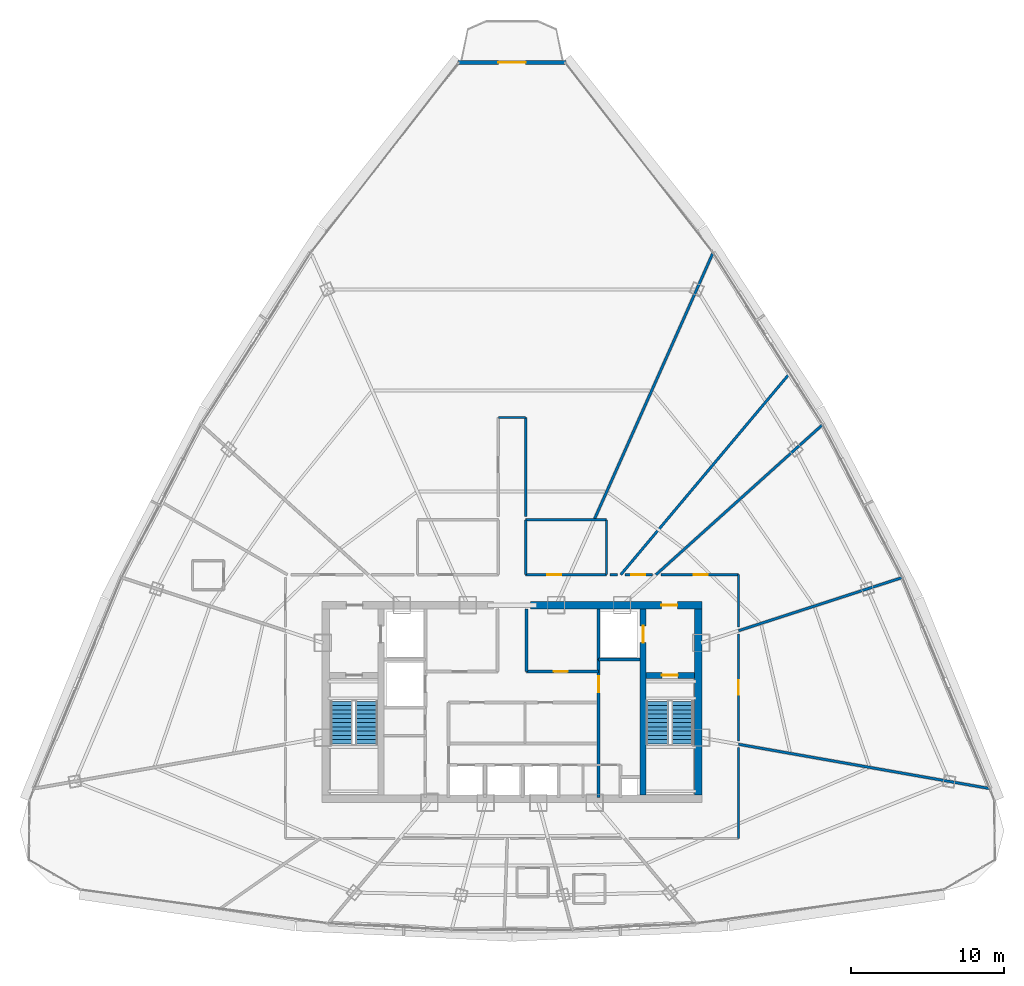
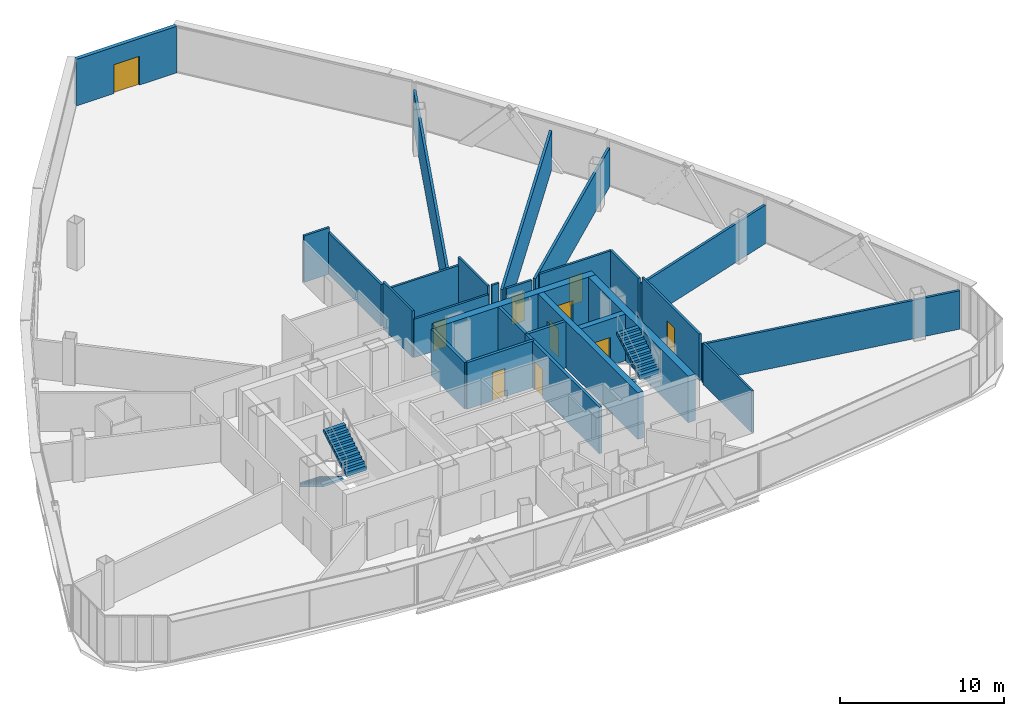
# One storey, part 36 of 40: 27 walls, 10 doors, 4 stair flights, 10 openings, 2 elements without a shape of their own.
"""IFC4 building model written with IfcOpenShell, lengths in metres."""

from ifc_helpers import new_model, si_unit, direction, frame, frame_2d, origin, origin_with_axes, place, context, subcontext, project, spatial, polyline, rectangle, outline, extrude, source, transform, mapped, material, layer, layer_set, type_object, element, fill, aggregate, save


model = new_model("IFC4")

# Units and contexts
model_context = context("Model", 3, precision=1e-05, world=origin(), true_north=direction((0.0, 1.0)))
body_context = subcontext(model_context, "Body", "Model", "MODEL_VIEW")
ifc_project = project(units=[si_unit("LENGTHUNIT", "METRE"), si_unit("AREAUNIT", "SQUARE_METRE"), si_unit("VOLUMEUNIT", "CUBIC_METRE"), si_unit("PLANEANGLEUNIT", "RADIAN"), si_unit("MASSUNIT", "GRAM", prefix="KILO"), si_unit("THERMODYNAMICTEMPERATUREUNIT", "KELVIN"), si_unit("POWERUNIT", "WATT")], contexts=[model_context])

# Site, building, storey
site_placement = place(None, origin())
site = spatial("IfcSite", under=ifc_project, at=site_placement, CompositionType="ELEMENT")
building_placement = place(site_placement, origin())
building = spatial("IfcBuilding", under=site, at=building_placement, Name="Yunzhuo Pagoda Commons", CompositionType="ELEMENT")
storey_placement = place(building_placement, frame((0.0, 0.0, 292.47998046875)))
storey = spatial("IfcBuildingStorey", under=building, at=storey_placement, Name="L73", CompositionType="ELEMENT", Elevation=292.47998046875)

# Wall, opening, door
ifc_material_1 = material(Name="Precast concrete C40", Category="concrete")
ifc_layer_1 = layer(ifc_material_1, 0.260009765625)
ifc_layer_set_1 = layer_set([ifc_layer_1], Name="Precast concrete C40")
wall_type_1 = type_object("IfcWallType", Name="W-BAL1 Corner Balcony Threshold Wall 260", PredefinedType="STANDARD", material=ifc_layer_set_1)
wall_1_placement = place(storey_placement, frame((51.534912109375, 75.790283203125, 0.0), z_axis=(0.0, 0.0, 1.0), x_axis=(-1.0, 0.0, 0.0)))
wall_1 = element("IfcWall", 1, at=wall_1_placement, inside=storey, type_object=wall_type_1, Name="L73 corner balcony wall V3", PredefinedType="STANDARD", context=body_context, shape_type="SweptSolid", body=[
    extrude(rectangle(XDim=7.06982421875, YDim=0.260009765625, at=frame_2d((3.534912109375, 0.0))), origin(), (0.0, 0.0, 1.0), 3.469970703125),
])
opening_1_placement = place(wall_1_placement, frame((2.635009765625, 0.0, 0.0)))
opening_1 = element("IfcOpeningElement", 2, at=opening_1_placement, cuts=wall_1, Name="Opening D-BAL1", PredefinedType="OPENING", context=body_context, shape_type="SweptSolid", body=[
    extrude(rectangle(XDim=1.800048828125, YDim=2.14990234375, at=frame_2d((0.89990234375, 1.074951171875))), frame((0.0, 0.14013671875, 0.0), z_axis=(0.0, -1.0, 0.0), x_axis=(1.0, 0.0, 0.0)), (0.0, 0.0, 1.0), 0.280029296875),
])
ifc_material_2 = material(Name="Anodized aluminium frame and tempered glazed leaf", Category="aluminium")
door_type_1 = type_object("IfcDoorType", Name="D-BAL1 Corner Balcony Sliding Glazed Door 1800x2150", OperationType="DOUBLE_DOOR_SLIDING", PredefinedType="DOOR", material=ifc_material_2)
shared_shape_1 = source(origin(), body_context, "Body", "SweptSolid", [
    extrude(rectangle(XDim=1.800048828125, YDim=2.14990234375, at=frame_2d((0.89990234375, 1.074951171875))), frame((0.0, 0.02490234375, 0.0), z_axis=(0.0, -1.0, 0.0), x_axis=(1.0, 0.0, 0.0)), (0.0, 0.0, 1.0), 0.050048828125),
])
door_1_placement = place(opening_1_placement, origin_with_axes())
door_1 = element("IfcDoor", 3, at=door_1_placement, inside=storey, type_object=door_type_1, Name="L73 corner balcony sliding door V3", OperationType="DOUBLE_DOOR_SLIDING", OverallHeight=2.14990234375, OverallWidth=1.800048828125, PredefinedType="DOOR", context=body_context, shape_type="MappedRepresentation", body=[
    mapped(shared_shape_1, transform((0.0, 0.0, 0.0), scale=1.0)),
])
fill(opening_1, door_1)

ifc_material_3 = material(Name="Concrete C50", Category="concrete")
ifc_layer_2 = layer(ifc_material_3, 0.5)
ifc_layer_set_2 = layer_set([ifc_layer_2], Name="Concrete C50")
wall_type_2 = type_object("IfcWallType", Name="W-C03 Upper Core Shear Wall 500", PredefinedType="SHEAR", material=ifc_layer_set_2)
wall_2_placement = place(storey_placement, frame((49.199951171875, 40.199951171875, 0.0), z_axis=(0.0, 0.0, 1.0), x_axis=(1.0, 0.0, 0.0)))
wall_2 = element("IfcWall", 4, at=wall_2_placement, inside=storey, type_object=wall_type_2, Name="L73 core shear wall NE", PredefinedType="SHEAR", context=body_context, shape_type="SweptSolid", body=[
    extrude(rectangle(XDim=11.25, YDim=0.5, at=frame_2d((5.625, 0.0))), origin(), (0.0, 0.0, 1.0), 3.469970703125),
])
opening_2_placement = place(wall_2_placement, frame((8.60009765625, 0.0, 0.0)))
opening_2 = element("IfcOpeningElement", 5, at=opening_2_placement, cuts=wall_2, Name="Opening D-02", PredefinedType="OPENING", context=body_context, shape_type="SweptSolid", body=[
    extrude(rectangle(XDim=1.050048828125, YDim=2.10009765625, at=frame_2d((0.52490234375, 1.050048828125))), frame((0.0, 0.260009765625, 0.0), z_axis=(0.0, -1.0, 0.0), x_axis=(1.0, 0.0, 0.0)), (0.0, 0.0, 1.0), 0.52001953125),
])
ifc_material_4 = material(Name="Galvanized fire-resisting metal leaf")
door_type_2 = type_object("IfcDoorType", Name="D-02 Firefighting Lobby & Refuge Fire Door 1050x2100", OperationType="NOTDEFINED", PredefinedType="DOOR", material=ifc_material_4)
shared_shape_2 = source(origin(), body_context, "Body", "SweptSolid", [
    extrude(rectangle(XDim=1.050048828125, YDim=2.10009765625, at=frame_2d((0.52490234375, 1.050048828125))), frame((0.0, 0.02490234375, 0.0), z_axis=(0.0, -1.0, 0.0), x_axis=(1.0, 0.0, 0.0)), (0.0, 0.0, 1.0), 0.050048828125),
])
door_2_placement = place(opening_2_placement, frame((1.050048828125, 0.0, 0.0), z_axis=(0.0, 0.0, 1.0), x_axis=(-1.0, 0.0, 0.0)))
door_2 = element("IfcDoor", 6, at=door_2_placement, inside=storey, type_object=door_type_2, Name="L73 Firefighting Lobby 2 fire door", OperationType="SINGLE_SWING_RIGHT", OverallHeight=2.10009765625, OverallWidth=1.050048828125, PredefinedType="DOOR", context=body_context, shape_type="MappedRepresentation", body=[
    mapped(shared_shape_2, transform((0.0, 0.0, 0.0), scale=1.0)),
])
fill(opening_2, door_2)

# Wall
wall_3_placement = place(storey_placement, frame((60.199951171875, 27.75, 0.0), z_axis=(0.0, 0.0, 1.0), x_axis=(0.0, 1.0, 0.0)))
element("IfcWall", 7, at=wall_3_placement, inside=storey, type_object=wall_type_2, Name="L73 core shear wall E", PredefinedType="SHEAR", context=body_context, shape_type="SweptSolid", body=[
    extrude(rectangle(XDim=12.199951171875, YDim=0.5, at=frame_2d((6.10009765625, 0.0))), origin(), (0.0, 0.0, 1.0), 3.469970703125),
])

# Wall, opening, door
ifc_material_5 = material(Name="Gypsum plasterboard on acoustic stud")
ifc_layer_3 = layer(ifc_material_5, 0.14990234375)
ifc_layer_set_3 = layer_set([ifc_layer_3], Name="Gypsum plasterboard on acoustic stud")
wall_type_3 = type_object("IfcWallType", Name="W-COR3 High-Zone Rated Corridor Wall 150", PredefinedType="PARTITIONING", material=ifc_layer_set_3)
wall_4_placement = place(storey_placement, frame((48.89990234375, 42.199951171875, 0.0), z_axis=(0.0, 0.0, 1.0), x_axis=(1.0, 0.0, 0.0)))
wall_4 = element("IfcWall", 8, at=wall_4_placement, inside=storey, type_object=wall_type_3, Name="L73 interior wall IW-L73-TFES", PredefinedType="PARTITIONING", context=body_context, shape_type="SweptSolid", body=[
    extrude(rectangle(XDim=5.300048828125, YDim=0.14990234375, at=frame_2d((2.64990234375, 0.0))), origin(), (0.0, 0.0, 1.0), 2.8701171875),
])
opening_3_placement = place(wall_4_placement, frame((1.39990234375, 0.0, 0.0)))
opening_3 = element("IfcOpeningElement", 9, at=opening_3_placement, cuts=wall_4, Name="Opening D-11", PredefinedType="OPENING", context=body_context, shape_type="SweptSolid", body=[
    extrude(rectangle(XDim=0.93994140625, YDim=2.10009765625, at=frame_2d((0.469970703125, 1.050048828125))), frame((0.0, 0.0849609375, 0.0), z_axis=(0.0, -1.0, 0.0), x_axis=(1.0, 0.0, 0.0)), (0.0, 0.0, 1.0), 0.169921875),
])
door_type_3 = type_object("IfcDoorType", Name="D-11 Accessible Washroom Fire Door 940x2100", OperationType="NOTDEFINED", PredefinedType="DOOR", material=ifc_material_4)
shared_shape_3 = source(origin(), body_context, "Body", "SweptSolid", [
    extrude(rectangle(XDim=0.93994140625, YDim=2.10009765625, at=frame_2d((0.469970703125, 1.050048828125))), frame((0.0, 0.02490234375, 0.0), z_axis=(0.0, -1.0, 0.0), x_axis=(1.0, 0.0, 0.0)), (0.0, 0.0, 1.0), 0.050048828125),
])
door_3_placement = place(opening_3_placement, frame((0.93994140625, 0.0, 0.0), z_axis=(0.0, 0.0, 1.0), x_axis=(-1.0, 0.0, 0.0)))
door_3 = element("IfcDoor", 10, at=door_3_placement, inside=storey, type_object=door_type_3, Name="L73 accessible WC door", OperationType="SINGLE_SWING_RIGHT", OverallHeight=2.10009765625, OverallWidth=0.93994140625, PredefinedType="DOOR", context=body_context, shape_type="MappedRepresentation", body=[
    mapped(shared_shape_3, transform((0.0, 0.0, 0.0), scale=1.0)),
])
fill(opening_3, door_3)

# Walls
wall_5_placement = place(storey_placement, frame((48.89990234375, 45.800048828125, 0.0), z_axis=(0.0, 0.0, 1.0), x_axis=(1.0, 0.0, 0.0)))
element("IfcWall", 11, at=wall_5_placement, inside=storey, type_object=wall_type_3, Name="L73 interior wall IW-L73-TFEN", PredefinedType="PARTITIONING", context=body_context, shape_type="SweptSolid", body=[
    extrude(rectangle(XDim=5.300048828125, YDim=0.14990234375, at=frame_2d((2.64990234375, 0.0))), origin(), (0.0, 0.0, 1.0), 2.8701171875),
])
for number, where, z_axis, x_axis, name in (
    (12, (48.89990234375, 42.199951171875, 0.0), (0.0, 0.0, 1.0), (0.0, 1.0, 0.0), "L73 interior wall IW-L73-TFEW"),
    (13, (54.199951171875, 42.199951171875, 0.0), (0.0, 0.0, 1.0), (0.0, 1.0, 0.0), "L73 interior wall IW-L73-TFEE"),
):
    element("IfcWall", number, at=place(storey_placement, frame(where, z_axis=z_axis, x_axis=x_axis)), inside=storey, type_object=wall_type_3, Name=name, PredefinedType="PARTITIONING", context=body_context, shape_type="SweptSolid", body=[
        extrude(rectangle(XDim=3.60009765625, YDim=0.14990234375, at=frame_2d((1.800048828125, 0.0))), origin(), (0.0, 0.0, 1.0), 3.469970703125),
    ])
wall_6_placement = place(storey_placement, frame((47.10009765625, 52.5, 0.0), z_axis=(0.0, 0.0, 1.0), x_axis=(1.0, 0.0, 0.0)))
element("IfcWall", 14, at=wall_6_placement, inside=storey, type_object=wall_type_3, Name="L73 interior wall IW-L73-CWL07", PredefinedType="PARTITIONING", context=body_context, shape_type="SweptSolid", body=[
    extrude(rectangle(XDim=1.7998046875, YDim=0.14990234375, at=frame_2d((0.89990234375, 0.0))), origin(), (0.0, 0.0, 1.0), 3.469970703125),
])
wall_7_placement = place(storey_placement, frame((48.89990234375, 52.5, 0.0), z_axis=(0.0, 0.0, 1.0), x_axis=(0.0, -1.0, 0.0)))
element("IfcWall", 15, at=wall_7_placement, inside=storey, type_object=wall_type_3, Name="L73 interior wall IW-L73-CWL08", PredefinedType="PARTITIONING", context=body_context, shape_type="SweptSolid", body=[
    extrude(rectangle(XDim=6.47998046875, YDim=0.14990234375, at=frame_2d((3.239990234375, 0.0))), origin(), (0.0, 0.0, 1.0), 3.1201171875),
])
wall_8_placement = place(storey_placement, frame((54.419921875, 42.199951171875, 0.0), z_axis=(0.0, 0.0, 1.0), x_axis=(1.0, 0.0, 0.0)))
element("IfcWall", 16, at=wall_8_placement, inside=storey, type_object=wall_type_3, Name="L73 interior wall IW-L73-CWL09", PredefinedType="PARTITIONING", context=body_context, shape_type="SweptSolid", body=[
    extrude(rectangle(XDim=0.492431640625, YDim=0.14990234375, at=frame_2d((0.24609375, 0.0))), origin(), (0.0, 0.0, 1.0), 3.469970703125),
])

# Wall, opening, door
wall_9_placement = place(storey_placement, frame((55.41943359375, 42.199951171875, 0.0), z_axis=(0.0, 0.0, 1.0), x_axis=(1.0, 0.0, 0.0)))
wall_9 = element("IfcWall", 17, at=wall_9_placement, inside=storey, type_object=wall_type_3, Name="L73 interior wall IW-L73-CWL10", PredefinedType="PARTITIONING", context=body_context, shape_type="SweptSolid", body=[
    extrude(rectangle(XDim=1.801025390625, YDim=0.14990234375, at=frame_2d((0.900390625, 0.0))), origin(), (0.0, 0.0, 1.0), 2.8701171875),
])
opening_4_placement = place(wall_9_placement, frame((0.40673828125, 0.0, 0.0)))
opening_4 = element("IfcOpeningElement", 18, at=opening_4_placement, cuts=wall_9, Name="Opening D-04", PredefinedType="OPENING", context=body_context, shape_type="SweptSolid", body=[
    extrude(rectangle(XDim=0.919921875, YDim=2.10009765625, at=frame_2d((0.4599609375, 1.050048828125))), frame((0.0, 0.0849609375, 0.0), z_axis=(0.0, -1.0, 0.0), x_axis=(1.0, 0.0, 0.0)), (0.0, 0.0, 1.0), 0.169921875),
])
ifc_material_6 = material(Name="Powder-coated aluminium and timber acoustic leaf", Category="wood")
door_type_4 = type_object("IfcDoorType", Name="D-04 Bedroom & Study Interior Door 920x2100", OperationType="NOTDEFINED", PredefinedType="DOOR", material=ifc_material_6)
shared_shape_4 = source(origin(), body_context, "Body", "SweptSolid", [
    extrude(rectangle(XDim=0.919921875, YDim=2.10009765625, at=frame_2d((0.4599609375, 1.050048828125))), frame((0.0, 0.02490234375, 0.0), z_axis=(0.0, -1.0, 0.0), x_axis=(1.0, 0.0, 0.0)), (0.0, 0.0, 1.0), 0.050048828125),
])
door_4_placement = place(opening_4_placement, origin_with_axes())
door_4 = element("IfcDoor", 19, at=door_4_placement, inside=storey, type_object=door_type_4, Name="L73 seminar room 03 door", OperationType="SINGLE_SWING_RIGHT", OverallHeight=2.10009765625, OverallWidth=0.919921875, PredefinedType="DOOR", context=body_context, shape_type="MappedRepresentation", body=[
    mapped(shared_shape_4, transform((0.0, 0.0, 0.0), scale=1.0)),
])
fill(opening_4, door_4)

wall_10_placement = place(storey_placement, frame((57.76904296875, 42.199951171875, 0.0), z_axis=(0.0, 0.0, 1.0), x_axis=(1.0, 0.0, 0.0)))
wall_10 = element("IfcWall", 20, at=wall_10_placement, inside=storey, type_object=wall_type_3, Name="L73 interior wall IW-L73-CWL11", PredefinedType="PARTITIONING", context=body_context, shape_type="SweptSolid", body=[
    extrude(rectangle(XDim=5.0810546875, YDim=0.14990234375, at=frame_2d((2.54052734375, 0.0))), origin(), (0.0, 0.0, 1.0), 3.1201171875),
])
opening_5_placement = place(wall_10_placement, frame((2.14599609375, 0.0, 0.0)))
opening_5 = element("IfcOpeningElement", 21, at=opening_5_placement, cuts=wall_10, Name="Opening D-04", PredefinedType="OPENING", context=body_context, shape_type="SweptSolid", body=[
    extrude(rectangle(XDim=0.919921875, YDim=2.10009765625, at=frame_2d((0.4599609375, 1.050048828125))), frame((0.0, 0.0849609375, 0.0), z_axis=(0.0, -1.0, 0.0), x_axis=(1.0, 0.0, 0.0)), (0.0, 0.0, 1.0), 0.169921875),
])
door_5_placement = place(opening_5_placement, origin_with_axes())
door_5 = element("IfcDoor", 22, at=door_5_placement, inside=storey, type_object=door_type_4, Name="L73 seminar room 02 door", OperationType="SINGLE_SWING_LEFT", OverallHeight=2.10009765625, OverallWidth=0.919921875, PredefinedType="DOOR", context=body_context, shape_type="MappedRepresentation", body=[
    mapped(shared_shape_4, transform((0.0, 0.0, 0.0), scale=1.0)),
])
fill(opening_5, door_5)

# Wall
wall_11_placement = place(storey_placement, frame((62.85009765625, 42.199951171875, 0.0), z_axis=(0.0, 0.0, 1.0), x_axis=(0.0, -1.0, 0.0)))
element("IfcWall", 23, at=wall_11_placement, inside=storey, type_object=wall_type_3, Name="L73 interior wall IW-L73-CWL12", PredefinedType="PARTITIONING", context=body_context, shape_type="SweptSolid", body=[
    extrude(rectangle(XDim=3.443603515625, YDim=0.14990234375, at=frame_2d((1.7216796875, 0.0))), origin(), (0.0, 0.0, 1.0), 3.1201171875),
])

# Wall, opening, door
wall_12_placement = place(storey_placement, frame((62.85009765625, 38.305419921875, 0.0), z_axis=(0.0, 0.0, 1.0), x_axis=(0.0, -1.0, 0.0)))
wall_12 = element("IfcWall", 24, at=wall_12_placement, inside=storey, type_object=wall_type_3, Name="L73 interior wall IW-L73-CWL13", PredefinedType="PARTITIONING", context=body_context, shape_type="SweptSolid", body=[
    extrude(rectangle(XDim=7.004150390625, YDim=0.14990234375, at=frame_2d((3.501953125, 0.0))), origin(), (0.0, 0.0, 1.0), 3.469970703125),
])
opening_6_placement = place(wall_12_placement, frame((3.0419921875, 0.0, 0.0)))
opening_6 = element("IfcOpeningElement", 25, at=opening_6_placement, cuts=wall_12, Name="Opening D-04", PredefinedType="OPENING", context=body_context, shape_type="SweptSolid", body=[
    extrude(rectangle(XDim=0.919921875, YDim=2.10009765625, at=frame_2d((0.4599609375, 1.050048828125))), frame((0.0, 0.0849609375, 0.0), z_axis=(0.0, -1.0, 0.0), x_axis=(1.0, 0.0, 0.0)), (0.0, 0.0, 1.0), 0.169921875),
])
door_6_placement = place(opening_6_placement, origin_with_axes())
door_6 = element("IfcDoor", 26, at=door_6_placement, inside=storey, type_object=door_type_4, Name="L73 seminar room 01 door", OperationType="SINGLE_SWING_RIGHT", OverallHeight=2.10009765625, OverallWidth=0.919921875, PredefinedType="DOOR", context=body_context, shape_type="MappedRepresentation", body=[
    mapped(shared_shape_4, transform((0.0, 0.0, 0.0), scale=1.0)),
])
fill(opening_6, door_6)

# Walls
wall_13_placement = place(storey_placement, frame((62.85009765625, 30.858154296875, 0.0), z_axis=(0.0, 0.0, 1.0), x_axis=(0.0, -1.0, 0.0)))
element("IfcWall", 27, at=wall_13_placement, inside=storey, type_object=wall_type_3, Name="L73 interior wall IW-L73-CWL14", PredefinedType="PARTITIONING", context=body_context, shape_type="SweptSolid", body=[
    extrude(rectangle(XDim=5.958251953125, YDim=0.14990234375, at=frame_2d((2.97900390625, 0.0))), origin(), (0.0, 0.0, 1.0), 3.1201171875),
])
ifc_layer_4 = layer(ifc_material_5, 0.169921875)
ifc_layer_set_4 = layer_set([ifc_layer_4], Name="Gypsum plasterboard on acoustic stud")
wall_type_4 = type_object("IfcWallType", Name="W-PRT4 High-Zone Demising Wall 170", PredefinedType="PARTITIONING", material=ifc_layer_set_4)
wall_14_placement = place(storey_placement, frame((62.85009765625, 38.525146484375, 0.0), z_axis=(0.0, 0.0, 1.0), x_axis=(0.951060099206, 0.309005967092, 0.0)))
element("IfcWall", 28, at=wall_14_placement, inside=storey, type_object=wall_type_4, Name="L73 interior wall IW-L73-RAD01", PredefinedType="PARTITIONING", context=body_context, shape_type="SweptSolid", body=[
    extrude(rectangle(XDim=11.30224609375, YDim=0.169921875, at=frame_2d((5.651123046875, 0.0))), origin(), (0.0, 0.0, 1.0), 2.8701171875),
])
wall_15_placement = place(storey_placement, frame((57.440185546875, 42.199951171875, 0.0), z_axis=(0.0, 0.0, 1.0), x_axis=(0.743145593795, 0.669129753055, 0.0)))
element("IfcWall", 29, at=wall_15_placement, inside=storey, type_object=wall_type_4, Name="L73 interior wall IW-L73-RAD02", PredefinedType="PARTITIONING", context=body_context, shape_type="SweptSolid", body=[
    extrude(rectangle(XDim=14.711181640625, YDim=0.169921875, at=frame_2d((7.35546875, 0.0))), origin(), (0.0, 0.0, 1.0), 2.8701171875),
])
wall_16_placement = place(storey_placement, frame((55.13232421875, 42.199951171875, 0.0), z_axis=(0.0, 0.0, 1.0), x_axis=(0.642779182264, 0.766051514487, 0.0)))
element("IfcWall", 30, at=wall_16_placement, inside=storey, type_object=wall_type_4, Name="L73 interior wall IW-L73-RAD03", PredefinedType="PARTITIONING", context=body_context, shape_type="SweptSolid", body=[
    extrude(rectangle(XDim=17.254150390625, YDim=0.169921875, at=frame_2d((8.626953125, 0.0))), origin(), (0.0, 0.0, 1.0), 2.8701171875),
])
wall_17_placement = place(storey_placement, frame((53.38720703125, 45.800048828125, 0.0), z_axis=(0.0, 0.0, 1.0), x_axis=(0.406740781751, 0.913543614975, 0.0)))
element("IfcWall", 31, at=wall_17_placement, inside=storey, type_object=wall_type_4, Name="L73 interior wall IW-L73-RAD04", PredefinedType="PARTITIONING", context=body_context, shape_type="SweptSolid", body=[
    extrude(rectangle(XDim=19.177490234375, YDim=0.169921875, at=frame_2d((9.5888671875, 0.0))), origin(), (0.0, 0.0, 1.0), 2.8701171875),
])
wall_18_placement = place(storey_placement, frame((62.85009765625, 31.08154296875, 0.0), z_axis=(0.0, 0.0, 1.0), x_axis=(0.984806900178, -0.173653014261, 0.0)))
element("IfcWall", 32, at=wall_18_placement, inside=storey, type_object=wall_type_4, Name="L73 interior wall IW-L73-RAD14", PredefinedType="PARTITIONING", context=body_context, shape_type="SweptSolid", body=[
    extrude(rectangle(XDim=16.73583984375, YDim=0.169921875, at=frame_2d((8.367919921875, 0.0))), origin(), (0.0, 0.0, 1.0), 2.8701171875),
])

# Wall, opening, door
ifc_material_7 = material(Name="Concrete C60", Category="concrete")
ifc_layer_5 = layer(ifc_material_7, 0.39990234375)
ifc_layer_set_5 = layer_set([ifc_layer_5], Name="Concrete C60")
wall_type_5 = type_object("IfcWallType", Name="W-S01 Internal Core Shear Web 400", PredefinedType="SHEAR", material=ifc_layer_set_5)
wall_19_placement = place(storey_placement, frame((56.60009765625, 27.75, 0.0), z_axis=(0.0, 0.0, 1.0), x_axis=(0.0, 1.0, 0.0)))
wall_19 = element("IfcWall", 33, at=wall_19_placement, inside=storey, type_object=wall_type_5, Name="L73 core shear wall WEBE", PredefinedType="SHEAR", context=body_context, shape_type="SweptSolid", body=[
    extrude(rectangle(XDim=12.199951171875, YDim=0.39990234375, at=frame_2d((6.10009765625, 0.0))), origin(), (0.0, 0.0, 1.0), 3.469970703125),
])
opening_7_placement = place(wall_19_placement, frame((10.0, 0.0, 0.0)))
opening_7 = element("IfcOpeningElement", 34, at=opening_7_placement, cuts=wall_19, Name="Opening LD-01", PredefinedType="OPENING", context=body_context, shape_type="SweptSolid", body=[
    extrude(rectangle(XDim=1.10009765625, YDim=2.10009765625, at=frame_2d((0.550048828125, 1.050048828125))), frame((0.0, 0.2099609375, 0.0), z_axis=(0.0, -1.0, 0.0), x_axis=(1.0, 0.0, 0.0)), (0.0, 0.0, 1.0), 0.419921875),
])
door_type_5 = type_object("IfcDoorType", Name="LD-01 Firefighting Lift Landing Door 1100x2100", OperationType="DOUBLE_DOOR_SLIDING", PredefinedType="DOOR", material=ifc_material_4)
shared_shape_5 = source(origin(), body_context, "Body", "SweptSolid", [
    extrude(rectangle(XDim=1.10009765625, YDim=2.10009765625, at=frame_2d((0.550048828125, 1.050048828125))), frame((0.0, 0.02490234375, 0.0), z_axis=(0.0, -1.0, 0.0), x_axis=(1.0, 0.0, 0.0)), (0.0, 0.0, 1.0), 0.050048828125),
])
door_7_placement = place(opening_7_placement, origin_with_axes())
door_7 = element("IfcDoor", 35, at=door_7_placement, inside=storey, type_object=door_type_5, Name="L73 Firefighting lift FL-2 landing door", OperationType="DOUBLE_DOOR_SLIDING", OverallHeight=2.10009765625, OverallWidth=1.10009765625, PredefinedType="DOOR", context=body_context, shape_type="MappedRepresentation", body=[
    mapped(shared_shape_5, transform((0.0, 0.0, 0.0), scale=1.0)),
])
fill(opening_7, door_7)

wall_20_placement = place(storey_placement, frame((56.800048828125, 35.60009765625, 0.0), z_axis=(0.0, 0.0, 1.0), x_axis=(1.0, 0.0, 0.0)))
wall_20 = element("IfcWall", 36, at=wall_20_placement, inside=storey, type_object=wall_type_5, Name="L73 core shear wall STE", PredefinedType="SHEAR", context=body_context, shape_type="SweptSolid", body=[
    extrude(rectangle(XDim=3.14990234375, YDim=0.39990234375, at=frame_2d((1.574951171875, 0.0))), origin(), (0.0, 0.0, 1.0), 3.469970703125),
])
opening_8_placement = place(wall_20_placement, frame((1.02001953125, 0.0, 0.0)))
opening_8 = element("IfcOpeningElement", 37, at=opening_8_placement, cuts=wall_20, Name="Opening D-01", PredefinedType="OPENING", context=body_context, shape_type="SweptSolid", body=[
    extrude(rectangle(XDim=1.050048828125, YDim=2.10009765625, at=frame_2d((0.52490234375, 1.050048828125))), frame((0.0, 0.2099609375, 0.0), z_axis=(0.0, -1.0, 0.0), x_axis=(1.0, 0.0, 0.0)), (0.0, 0.0, 1.0), 0.419921875),
])
door_type_6 = type_object("IfcDoorType", Name="D-01 Smokeproof Stair Fire Door 1050x2100", OperationType="NOTDEFINED", PredefinedType="DOOR", material=ifc_material_4)
door_8_placement = place(opening_8_placement, frame((1.050048828125, 0.0, 0.0), z_axis=(0.0, 0.0, 1.0), x_axis=(-1.0, 0.0, 0.0)))
door_8 = element("IfcDoor", 38, at=door_8_placement, inside=storey, type_object=door_type_6, Name="L73 Stair ST2 fire door", OperationType="SINGLE_SWING_RIGHT", OverallHeight=2.10009765625, OverallWidth=1.050048828125, PredefinedType="DOOR", context=body_context, shape_type="MappedRepresentation", body=[
    mapped(shared_shape_2, transform((0.0, 0.0, 0.0), scale=1.0)),
])
fill(opening_8, door_8)

# Walls
ifc_material_8 = material(Name="Concrete C40", Category="concrete")
ifc_layer_6 = layer(ifc_material_8, 0.199951171875)
ifc_layer_set_6 = layer_set([ifc_layer_6], Name="Concrete C40")
wall_type_6 = type_object("IfcWallType", Name="W-SHF Shaft & Stair Enclosure Wall 200", PredefinedType="SOLIDWALL", material=ifc_layer_set_6)
wall_21_placement = place(storey_placement, frame((53.679931640625, 36.64990234375, 0.0), z_axis=(0.0, 0.0, 1.0), x_axis=(0.0, 1.0, 0.0)))
element("IfcWall", 39, at=wall_21_placement, inside=storey, type_object=wall_type_6, Name="L73 interior wall IW-L73-FL2W", PredefinedType="SOLIDWALL", context=body_context, shape_type="SweptSolid", body=[
    extrude(rectangle(XDim=3.300048828125, YDim=0.199951171875, at=frame_2d((1.64990234375, 0.0))), origin(), (0.0, 0.0, 1.0), 3.469970703125),
])
wall_22_placement = place(storey_placement, frame((53.679931640625, 36.64990234375, 0.0), z_axis=(0.0, 0.0, 1.0), x_axis=(1.0, 0.0, 0.0)))
element("IfcWall", 40, at=wall_22_placement, inside=storey, type_object=wall_type_6, Name="L73 interior wall IW-L73-FL2S", PredefinedType="SOLIDWALL", context=body_context, shape_type="SweptSolid", body=[
    extrude(rectangle(XDim=2.719970703125, YDim=0.199951171875, at=frame_2d((1.35986328125, 0.0))), origin(), (0.0, 0.0, 1.0), 3.469970703125),
])

# Wall, opening, door
wall_23_placement = place(storey_placement, frame((48.949951171875, 35.85009765625, 0.0), z_axis=(0.0, 0.0, 1.0), x_axis=(1.0, 0.0, 0.0)))
wall_23 = element("IfcWall", 41, at=wall_23_placement, inside=storey, type_object=wall_type_6, Name="L73 interior wall IW-L73-LBNE", PredefinedType="SOLIDWALL", context=body_context, shape_type="SweptSolid", body=[
    extrude(rectangle(XDim=4.72998046875, YDim=0.199951171875, at=frame_2d((2.364990234375, 0.0))), origin(), (0.0, 0.0, 1.0), 3.469970703125),
])
opening_9_placement = place(wall_23_placement, frame((1.800048828125, 0.0, 0.0)))
opening_9 = element("IfcOpeningElement", 42, at=opening_9_placement, cuts=wall_23, Name="Opening D-03", PredefinedType="OPENING", context=body_context, shape_type="SweptSolid", body=[
    extrude(rectangle(XDim=0.89990234375, YDim=2.10009765625, at=frame_2d((0.449951171875, 1.050048828125))), frame((0.0, 0.10986328125, 0.0), z_axis=(0.0, -1.0, 0.0), x_axis=(1.0, 0.0, 0.0)), (0.0, 0.0, 1.0), 0.219970703125),
])
door_type_7 = type_object("IfcDoorType", Name="D-03 Core Service Fire Door 900x2100", OperationType="NOTDEFINED", PredefinedType="DOOR", material=ifc_material_4)
shared_shape_6 = source(origin(), body_context, "Body", "SweptSolid", [
    extrude(rectangle(XDim=0.89990234375, YDim=2.10009765625, at=frame_2d((0.449951171875, 1.050048828125))), frame((0.0, 0.02490234375, 0.0), z_axis=(0.0, -1.0, 0.0), x_axis=(1.0, 0.0, 0.0)), (0.0, 0.0, 1.0), 0.050048828125),
])
door_9_placement = place(opening_9_placement, frame((0.89990234375, 0.0, 0.0), z_axis=(0.0, 0.0, 1.0), x_axis=(-1.0, 0.0, 0.0)))
door_9 = element("IfcDoor", 43, at=door_9_placement, inside=storey, type_object=door_type_7, Name="L73 core east store door", OperationType="SINGLE_SWING_RIGHT", OverallHeight=2.10009765625, OverallWidth=0.89990234375, PredefinedType="DOOR", context=body_context, shape_type="MappedRepresentation", body=[
    mapped(shared_shape_6, transform((0.0, 0.0, 0.0), scale=1.0)),
])
fill(opening_9, door_9)

# Wall
wall_24_placement = place(storey_placement, frame((48.949951171875, 35.85009765625, 0.0), z_axis=(0.0, 0.0, 1.0), x_axis=(0.0, 1.0, 0.0)))
element("IfcWall", 44, at=wall_24_placement, inside=storey, type_object=wall_type_6, Name="L73 interior wall IW-L73-THRE", PredefinedType="SOLIDWALL", context=body_context, shape_type="SweptSolid", body=[
    extrude(rectangle(XDim=4.099853515625, YDim=0.199951171875, at=frame_2d((2.0498046875, 0.0))), origin(), (0.0, 0.0, 1.0), 3.469970703125),
])

# Wall, opening, door
wall_25_placement = place(storey_placement, frame((53.679931640625, 27.60009765625, 0.0), z_axis=(0.0, 0.0, 1.0), x_axis=(0.0, 1.0, 0.0)))
wall_25 = element("IfcWall", 45, at=wall_25_placement, inside=storey, type_object=wall_type_6, Name="L73 interior wall IW-L73-PLME", PredefinedType="SOLIDWALL", context=body_context, shape_type="SweptSolid", body=[
    extrude(rectangle(XDim=9.0498046875, YDim=0.199951171875, at=frame_2d((4.52490234375, 0.0))), origin(), (0.0, 0.0, 1.0), 3.469970703125),
])
opening_10_placement = place(wall_25_placement, frame((6.89990234375, 0.0, 0.0)))
opening_10 = element("IfcOpeningElement", 46, at=opening_10_placement, cuts=wall_25, Name="Opening D-02", PredefinedType="OPENING", context=body_context, shape_type="SweptSolid", body=[
    extrude(rectangle(XDim=1.050048828125, YDim=2.10009765625, at=frame_2d((0.52490234375, 1.050048828125))), frame((0.0, 0.10986328125, 0.0), z_axis=(0.0, -1.0, 0.0), x_axis=(1.0, 0.0, 0.0)), (0.0, 0.0, 1.0), 0.219970703125),
])
door_10_placement = place(opening_10_placement, origin_with_axes())
door_10 = element("IfcDoor", 47, at=door_10_placement, inside=storey, type_object=door_type_2, Name="L73 High-bank lift hall door", OperationType="SINGLE_SWING_RIGHT", OverallHeight=2.10009765625, OverallWidth=1.050048828125, PredefinedType="DOOR", context=body_context, shape_type="MappedRepresentation", body=[
    mapped(shared_shape_2, transform((0.0, 0.0, 0.0), scale=1.0)),
])
fill(opening_10, door_10)

# Stair, stair flights
stair_type_1 = type_object("IfcStairType", Name="ST-C1 Core Smokeproof Stair ST1", PredefinedType="HALF_TURN_STAIR", material=ifc_material_8)
stair_1_placement = place(storey_placement, origin())
stair_1 = element("IfcStair", 48, at=stair_1_placement, inside=storey, type_object=stair_type_1, Name="L73 Core smokeproof stair ST1", PredefinedType="HALF_TURN_STAIR")
stair_flight_type_1 = type_object("IfcStairFlightType", Name="STF-C1 Core Stair Flight 1450", PredefinedType="STRAIGHT", material=ifc_material_8)
shared_shape_7 = source(origin(), body_context, "Body", "SweptSolid", [
    extrude(outline(polyline([(0.0, -0.14990234375), (0.0, 0.0), (0.0, 0.16943359375), (0.280029296875, 0.16943359375), (0.280029296875, 0.339111328125), (0.56005859375, 0.339111328125), (0.56005859375, 0.508544921875), (0.840087890625, 0.508544921875), (0.840087890625, 0.67822265625), (1.1201171875, 0.67822265625), (1.1201171875, 0.84765625), (1.39990234375, 0.84765625), (1.39990234375, 1.017333984375), (1.679931640625, 1.017333984375), (1.679931640625, 1.186767578125), (1.9599609375, 1.186767578125), (1.9599609375, 1.3564453125), (2.239990234375, 1.3564453125), (2.239990234375, 1.52587890625), (2.52001953125, 1.52587890625), (2.52001953125, 1.695556640625), (2.800048828125, 1.695556640625), (2.800048828125, 1.864990234375), (2.800048828125, 1.520263671875), (0.289306640625, 0.0), (0.050048828125, -0.14990234375), (0.0, -0.14990234375)])), frame((0.0, 0.72509765625, 0.0), z_axis=(0.0, -1.0, 0.0), x_axis=(1.0, 0.0, 0.0)), (0.0, 0.0, 1.0), 1.449951171875),
])
stair_flight_1_placement = place(storey_placement, frame((36.824951171875, 33.89990234375, 0.0), z_axis=(0.0, 0.0, 1.0), x_axis=(0.0, -1.0, 0.0)))
stair_flight_1 = element("IfcStairFlight", 49, at=stair_flight_1_placement, type_object=stair_flight_type_1, Name="ST1 flight 1", NumberOfRisers=11, NumberOfTreads=10, PredefinedType="STRAIGHT", RiserHeight=0.169545455, TreadLength=0.28, context=body_context, shape_type="MappedRepresentation", body=[
    mapped(shared_shape_7, transform((0.0, 0.0, 0.0), scale=1.0)),
])
stair_flight_2_placement = place(storey_placement, frame((38.47509765625, 31.10009765625, 1.864990234375), z_axis=(0.0, 0.0, 1.0), x_axis=(0.0, 1.0, 0.0)))
stair_flight_2 = element("IfcStairFlight", 50, at=stair_flight_2_placement, type_object=stair_flight_type_1, Name="ST1 flight 2", NumberOfRisers=11, NumberOfTreads=10, PredefinedType="STRAIGHT", RiserHeight=0.169545455, TreadLength=0.28, context=body_context, shape_type="MappedRepresentation", body=[
    mapped(shared_shape_7, transform((0.0, 0.0, 0.0), scale=1.0)),
])
aggregate(stair_1, [stair_flight_1, stair_flight_2])

stair_type_2 = type_object("IfcStairType", Name="ST-C2 Core Smokeproof Stair ST2", PredefinedType="HALF_TURN_STAIR", material=ifc_material_8)
stair_2_placement = place(storey_placement, origin())
stair_2 = element("IfcStair", 51, at=stair_2_placement, inside=storey, type_object=stair_type_2, Name="L73 Core smokeproof stair ST2", PredefinedType="HALF_TURN_STAIR")
stair_flight_type_2 = type_object("IfcStairFlightType", Name="STF-C2 Core Stair Flight 1460", PredefinedType="STRAIGHT", material=ifc_material_8)
stair_flight_3_placement = place(storey_placement, frame((57.52490234375, 33.89990234375, 0.0), z_axis=(0.0, 0.0, 1.0), x_axis=(0.0, -1.0, 0.0)))
stair_flight_3 = element("IfcStairFlight", 52, at=stair_flight_3_placement, type_object=stair_flight_type_2, Name="ST2 flight 1", NumberOfRisers=11, NumberOfTreads=10, PredefinedType="STRAIGHT", RiserHeight=0.169545455, TreadLength=0.28, context=body_context, shape_type="MappedRepresentation", body=[
    mapped(shared_shape_7, transform((0.0, 0.0, 0.0), scale=1.0)),
])
stair_flight_4_placement = place(storey_placement, frame((59.175048828125, 31.10009765625, 1.864990234375), z_axis=(0.0, 0.0, 1.0), x_axis=(0.0, 1.0, 0.0)))
stair_flight_4 = element("IfcStairFlight", 53, at=stair_flight_4_placement, type_object=stair_flight_type_2, Name="ST2 flight 2", NumberOfRisers=11, NumberOfTreads=10, PredefinedType="STRAIGHT", RiserHeight=0.169545455, TreadLength=0.28, context=body_context, shape_type="MappedRepresentation", body=[
    mapped(shared_shape_7, transform((0.0, 0.0, 0.0), scale=1.0)),
])
aggregate(stair_2, [stair_flight_3, stair_flight_4])

save(model, "model.ifc")
